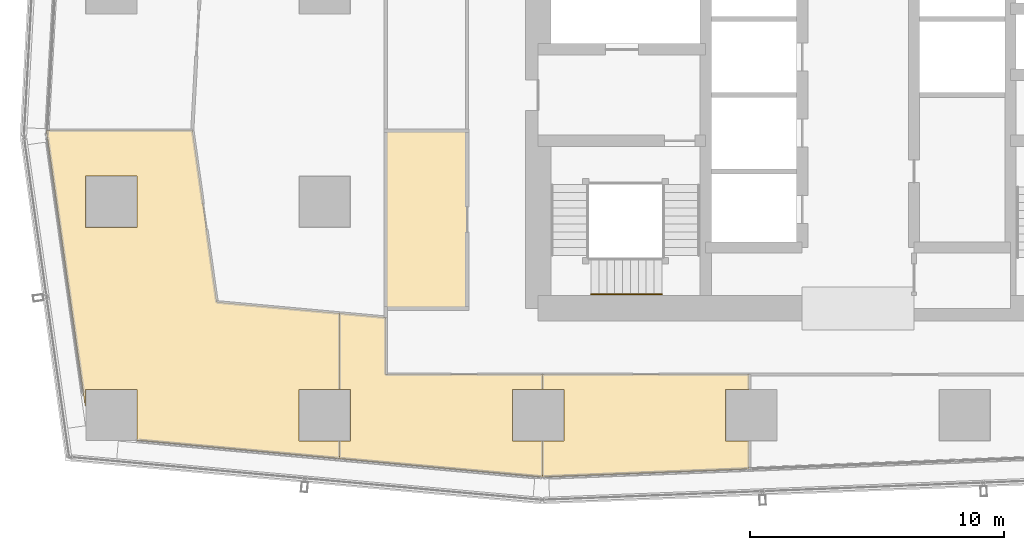
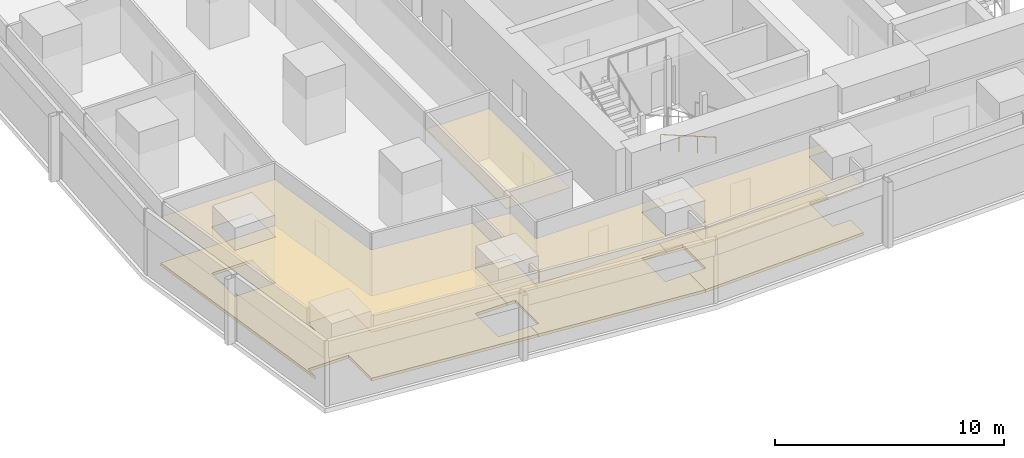
# One storey, part 32 of 39: 7 coverings, 1 railing.
"""IFC4 building model written with IfcOpenShell, lengths in metres."""

from ifc_helpers import new_model, si_unit, direction, frame, origin, origin_2d, place, context, subcontext, project, spatial, polyline, circle, outline, extrude, material, layer, layer_set, type_object, element, save


model = new_model("IFC4")

# Units and contexts
model_context = context("Model", 3, precision=1e-05, world=origin(), true_north=direction((0.0, 1.0)))
body_context = subcontext(model_context, "Body", "Model", "MODEL_VIEW")
ifc_project = project(units=[si_unit("LENGTHUNIT", "METRE"), si_unit("AREAUNIT", "SQUARE_METRE"), si_unit("VOLUMEUNIT", "CUBIC_METRE"), si_unit("PLANEANGLEUNIT", "RADIAN"), si_unit("MASSUNIT", "GRAM", prefix="KILO")], contexts=[model_context])

# Site, building, storey
site_placement = place(None, origin())
site = spatial("IfcSite", under=ifc_project, at=site_placement, CompositionType="ELEMENT")
building_placement = place(site_placement, origin())
building = spatial("IfcBuilding", under=site, at=building_placement, Name="Rekha Terrace Tower", CompositionType="ELEMENT")
storey_placement = place(building_placement, frame((0.0, 0.0, 147.800048828125)))
storey = spatial("IfcBuildingStorey", under=building, at=storey_placement, Name="L37", CompositionType="ELEMENT", Elevation=147.800048828125)

# Coverings
ifc_material_1 = material(Name="Mineral fibre tile in exposed grid", Category="finish")
ifc_layer_1 = layer(ifc_material_1, 0.02001953125)
ifc_layer_set_1 = layer_set([ifc_layer_1], Name="Mineral fibre tile in exposed grid")
covering_type_1 = type_object("IfcCoveringType", Name="CL1 600x1200 office grid ceiling", PredefinedType="CEILING", material=ifc_layer_set_1)
covering_1_placement = place(storey_placement, frame((0.0, 0.0, 2.579833984375)))
element("IfcCovering", 1, at=covering_1_placement, inside=storey, type_object=covering_type_1, Name="Ceiling L37-16", PredefinedType="CEILING", context=body_context, shape_type="SweptSolid", body=[
    extrude(outline(polyline([(17.384033203125, 20.80908203125), (12.5458984375, 21.248046875), (11.593994140625, 27.9990234375), (5.837890625, 27.9990234375), (7.364990234375, 17.160888671875), (7.385009765625, 17.1630859375), (7.385009765625, 17.81494140625), (9.4150390625, 17.81494140625), (9.4150390625, 15.80908203125), (17.384033203125, 15.0849609375), (17.384033203125, 15.784912109375), (15.784912109375, 15.784912109375), (15.784912109375, 17.81494140625), (17.384033203125, 17.81494140625), (17.384033203125, 20.80908203125)]), holes=[polyline([(9.4150390625, 24.18505859375), (7.385009765625, 24.18505859375), (7.385009765625, 26.215087890625), (9.4150390625, 26.215087890625), (9.4150390625, 24.18505859375)])]), origin(), (0.0, 0.0, 1.0), 0.02001953125),
])
covering_2_placement = place(storey_placement, frame((0.0, 0.0, 2.579833984375)))
element("IfcCovering", 2, at=covering_2_placement, inside=storey, type_object=covering_type_1, Name="Ceiling L37-17", PredefinedType="CEILING", context=body_context, shape_type="SweptSolid", body=[
    extrude(outline(polyline([(19.199951171875, 18.39990234375), (19.199951171875, 20.64404296875), (17.385009765625, 20.80908203125), (17.385009765625, 17.81494140625), (17.81494140625, 17.81494140625), (17.81494140625, 15.784912109375), (17.385009765625, 15.784912109375), (17.385009765625, 15.0849609375), (25.37890625, 14.35888671875), (25.37890625, 15.784912109375), (24.18505859375, 15.784912109375), (24.18505859375, 17.81494140625), (25.37890625, 17.81494140625), (25.37890625, 18.39990234375), (19.199951171875, 18.39990234375)])), origin(), (0.0, 0.0, 1.0), 0.02001953125),
])
covering_3_placement = place(storey_placement, frame((0.0, 0.0, 2.579833984375)))
element("IfcCovering", 3, at=covering_3_placement, inside=storey, type_object=covering_type_1, Name="Ceiling L37-18", PredefinedType="CEILING", context=body_context, shape_type="SweptSolid", body=[
    extrude(outline(polyline([(33.512939453125, 17.81494140625), (33.512939453125, 18.39990234375), (25.3798828125, 18.39990234375), (25.3798828125, 17.81494140625), (26.215087890625, 17.81494140625), (26.215087890625, 15.784912109375), (25.3798828125, 15.784912109375), (25.3798828125, 14.363037109375), (32.344970703125, 14.634033203125), (33.512939453125, 14.679931640625), (33.512939453125, 15.784912109375), (32.5849609375, 15.784912109375), (32.5849609375, 17.81494140625), (33.512939453125, 17.81494140625)])), origin(), (0.0, 0.0, 1.0), 0.02001953125),
])
ifc_material_2 = material(Name="Fibre cement board", Category="finish")
ifc_layer_2 = layer(ifc_material_2, 0.014892578125)
ifc_layer_set_2 = layer_set([ifc_layer_2], Name="Fibre cement board")
covering_type_2 = type_object("IfcCoveringType", Name="CL2 moisture-resistant board ceiling", PredefinedType="CEILING", material=ifc_layer_set_2)
covering_4_placement = place(storey_placement, frame((0.0, 0.0, 2.5849609375)))
element("IfcCovering", 4, at=covering_4_placement, inside=storey, type_object=covering_type_2, Name="Ceiling L37-WCM", PredefinedType="CEILING", context=body_context, shape_type="SweptSolid", body=[
    extrude(outline(polyline([(22.39990234375, 28.0), (19.199951171875, 28.0), (19.199951171875, 21.0), (22.39990234375, 21.0), (22.39990234375, 28.0)])), origin(), (0.0, 0.0, 1.0), 0.014892578125),
])

# Railing
ifc_material_3 = material(Name="Stainless steel tube", Category="steel")
railing_type = type_object("IfcRailingType", Name="HR1 900 stair handrail", PredefinedType="HANDRAIL", material=ifc_material_3)
railing_placement = place(storey_placement, frame((30.074951171875, 21.56005859375, 1.375)))
element("IfcRailing", 5, at=railing_placement, inside=storey, type_object=railing_type, Name="Handrail ST1 L37 flight 2", PredefinedType="HANDRAIL", context=body_context, shape_type="SweptSolid", body=[
    extrude(circle(Radius=0.02392578125, at=origin_2d()), frame((0.0, 0.0, 0.8759765625), z_axis=(-0.927443287984, 0.0, 0.373963831907), x_axis=(0.0, -1.0, 0.0)), (0.0, 0.0, 1.0), 3.00830078125),
    extrude(circle(Radius=0.02099609375, at=origin_2d()), origin(), (0.0, 0.0, 1.0), 0.851806640625),
    extrude(circle(Radius=0.02099609375, at=origin_2d()), frame((-0.929931640625, 0.0, 0.375)), (0.0, 0.0, 1.0), 0.851806640625),
    extrude(circle(Radius=0.02099609375, at=origin_2d()), frame((-1.860107421875, 0.0, 0.75)), (0.0, 0.0, 1.0), 0.851806640625),
    extrude(circle(Radius=0.02099609375, at=origin_2d()), frame((-2.7900390625, 0.0, 1.125)), (0.0, 0.0, 1.0), 0.851806640625),
])

# Coverings
ifc_material_4 = material(Name="Calcium sulphate panels on steel pedestals", Category="steel")
ifc_layer_3 = layer(ifc_material_4, 0.14990234375)
ifc_layer_set_3 = layer_set([ifc_layer_3], Name="Calcium sulphate panels on steel pedestals")
covering_type_3 = type_object("IfcCoveringType", Name="RF1 150 raised access floor", PredefinedType="FLOORING", material=ifc_layer_set_3)
covering_5_placement = place(storey_placement, origin())
element("IfcCovering", 6, at=covering_5_placement, inside=storey, type_object=covering_type_3, Name="Raised floor L37-16", PredefinedType="FLOORING", context=body_context, shape_type="SweptSolid", body=[
    extrude(outline(polyline([(17.384033203125, 20.80908203125), (12.5458984375, 21.248046875), (11.593994140625, 27.9990234375), (5.837890625, 27.9990234375), (7.364990234375, 17.160888671875), (7.385009765625, 17.1630859375), (7.385009765625, 17.81494140625), (9.4150390625, 17.81494140625), (9.4150390625, 15.80908203125), (17.384033203125, 15.0849609375), (17.384033203125, 15.784912109375), (15.784912109375, 15.784912109375), (15.784912109375, 17.81494140625), (17.384033203125, 17.81494140625), (17.384033203125, 20.80908203125)]), holes=[polyline([(9.4150390625, 24.18505859375), (7.385009765625, 24.18505859375), (7.385009765625, 26.215087890625), (9.4150390625, 26.215087890625), (9.4150390625, 24.18505859375)])]), origin(), (0.0, 0.0, 1.0), 0.14990234375),
])
covering_6_placement = place(storey_placement, origin())
element("IfcCovering", 7, at=covering_6_placement, inside=storey, type_object=covering_type_3, Name="Raised floor L37-17", PredefinedType="FLOORING", context=body_context, shape_type="SweptSolid", body=[
    extrude(outline(polyline([(19.199951171875, 18.39990234375), (19.199951171875, 20.64404296875), (17.385009765625, 20.80908203125), (17.385009765625, 17.81494140625), (17.81494140625, 17.81494140625), (17.81494140625, 15.784912109375), (17.385009765625, 15.784912109375), (17.385009765625, 15.0849609375), (25.37890625, 14.35888671875), (25.37890625, 15.784912109375), (24.18505859375, 15.784912109375), (24.18505859375, 17.81494140625), (25.37890625, 17.81494140625), (25.37890625, 18.39990234375), (19.199951171875, 18.39990234375)])), origin(), (0.0, 0.0, 1.0), 0.14990234375),
])
covering_7_placement = place(storey_placement, origin())
element("IfcCovering", 8, at=covering_7_placement, inside=storey, type_object=covering_type_3, Name="Raised floor L37-18", PredefinedType="FLOORING", context=body_context, shape_type="SweptSolid", body=[
    extrude(outline(polyline([(33.512939453125, 17.81494140625), (33.512939453125, 18.39990234375), (25.3798828125, 18.39990234375), (25.3798828125, 17.81494140625), (26.215087890625, 17.81494140625), (26.215087890625, 15.784912109375), (25.3798828125, 15.784912109375), (25.3798828125, 14.363037109375), (32.344970703125, 14.634033203125), (33.512939453125, 14.679931640625), (33.512939453125, 15.784912109375), (32.5849609375, 15.784912109375), (32.5849609375, 17.81494140625), (33.512939453125, 17.81494140625)])), origin(), (0.0, 0.0, 1.0), 0.14990234375),
])

save(model, "model.ifc")
